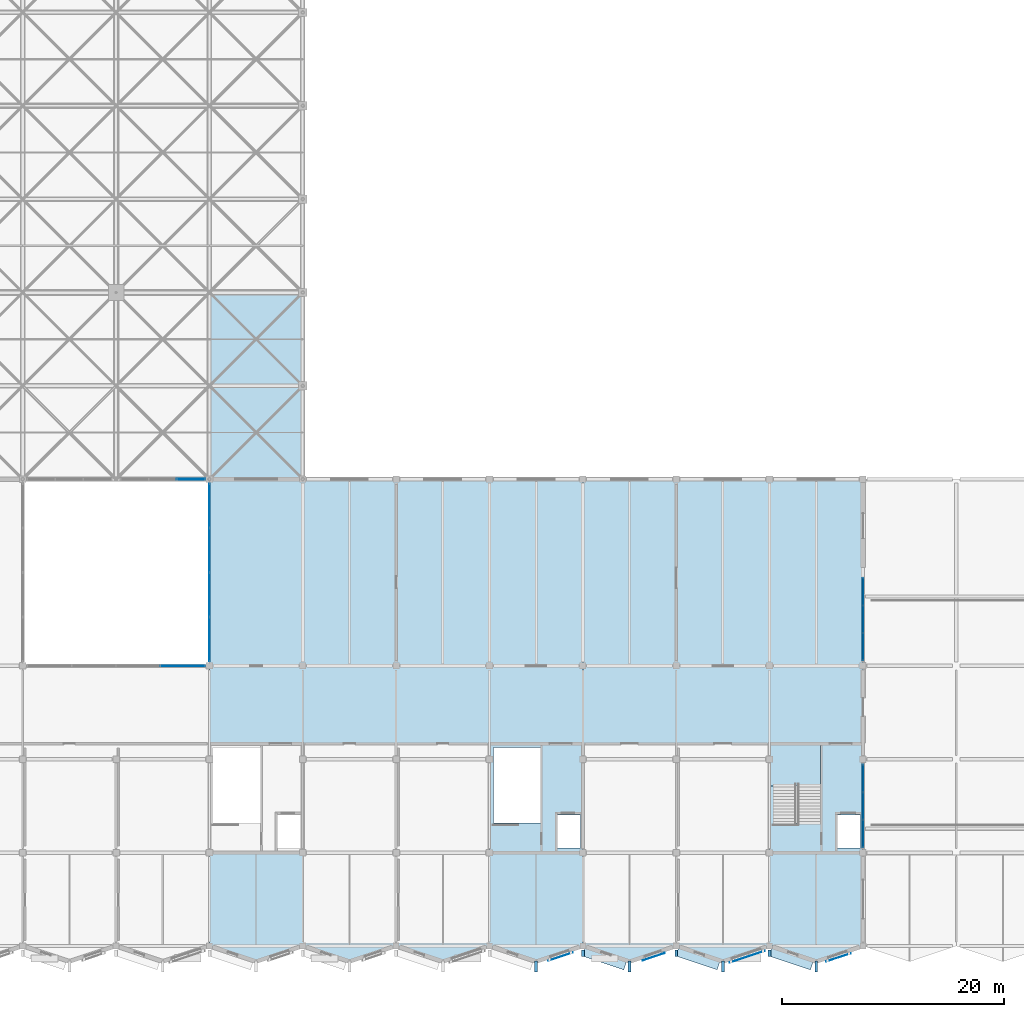
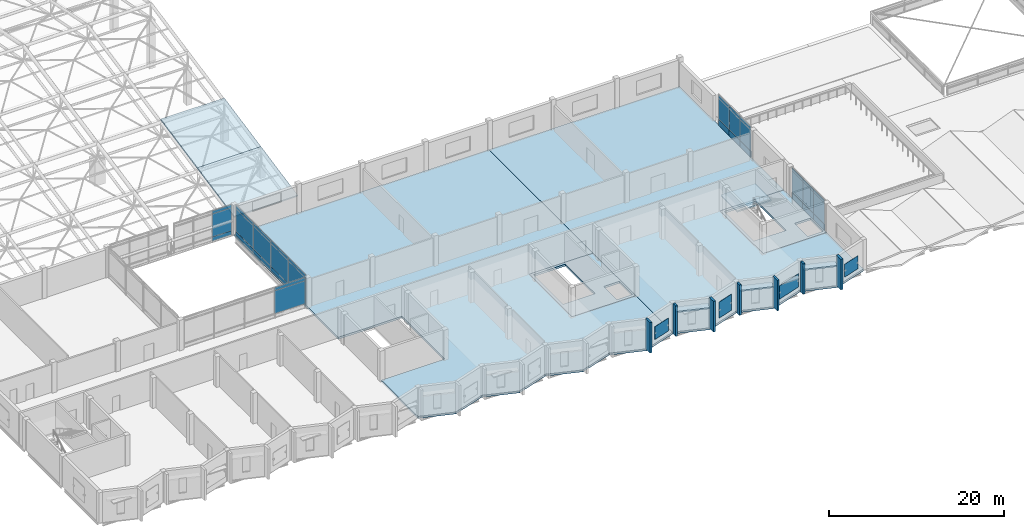
# One storey, part 69 of 81: 49 plates, 7 slabs, 6 elements without a shape of their own.
"""IFC4 building model written with IfcOpenShell, lengths in metres."""

from ifc_helpers import new_model, si_unit, direction, frame, frame_2d, origin, place, context, subcontext, project, spatial, polyline, rectangle, outline, extrude, material, layer, layer_set, type_object, element, aggregate, save


model = new_model("IFC4")

# Units and contexts
model_context = context("Model", 3, precision=1e-05, world=origin(), true_north=direction((0.0, 1.0)))
body_context = subcontext(model_context, "Body", "Model", "MODEL_VIEW")
ifc_project = project(units=[si_unit("LENGTHUNIT", "METRE"), si_unit("AREAUNIT", "SQUARE_METRE"), si_unit("VOLUMEUNIT", "CUBIC_METRE"), si_unit("PLANEANGLEUNIT", "RADIAN"), si_unit("MASSUNIT", "GRAM", prefix="KILO")], contexts=[model_context])

# Site, building, storey
site_placement = place(None, origin())
site = spatial("IfcSite", under=ifc_project, at=site_placement, CompositionType="ELEMENT")
building_placement = place(site_placement, origin())
building = spatial("IfcBuilding", under=site, at=building_placement, Name="Qawsi Khor Wholesale Market", CompositionType="ELEMENT")
storey_placement = place(building_placement, frame((0.0, 0.0, 16.199951171875)))
storey = spatial("IfcBuildingStorey", under=building, at=storey_placement, Name="L03", CompositionType="ELEMENT", Elevation=16.199951171875)

# Curtain wall, plate
ifc_material_1 = material(Name="Aluminium Anodised Bronze", Category="aluminium")
ifc_layer_1 = layer(ifc_material_1, 0.179931640625, Name="Aluminium Anodised Bronze")
ifc_layer_set_1 = layer_set([ifc_layer_1], Name="Aluminium Anodised Bronze")
curtain_wall_type_1 = type_object("IfcCurtainWallType", Name="Atrium Full-Height Curtain Wall CW-02", PredefinedType="NOTDEFINED", material=ifc_layer_set_1)
curtain_wall_1_placement = place(storey_placement, origin())
curtain_wall_1 = element("IfcCurtainWall", 1, at=curtain_wall_1_placement, inside=storey, type_object=curtain_wall_type_1, Name="Curtain wall CW-CW-02-L03-028", PredefinedType="NOTDEFINED")
ifc_material_2 = material(Name="Anodised Aluminium Spandrel", Category="aluminium")
ifc_layer_2 = layer(ifc_material_2, 0.06494140625, Name="Anodised Aluminium Spandrel")
ifc_layer_set_2 = layer_set([ifc_layer_2], Name="Anodised Aluminium Spandrel")
plate_type_1 = type_object("IfcPlateType", Name="Insulated Spandrel Panel CW-02 65mm", PredefinedType="CURTAIN_PANEL", material=ifc_layer_set_2)
plate_1_placement = place(storey_placement, frame((64.276611328125, 42.0, 0.005126953125), z_axis=(0.0, 0.0, 1.0), x_axis=(1.0, 0.0, 0.0)))
plate_1 = element("IfcPlate", 2, at=plate_1_placement, type_object=plate_type_1, Name="Curtain panel CW-CW-02-L03-028-P0_02", PredefinedType="CURTAIN_PANEL", context=body_context, shape_type="SweptSolid", body=[
    extrude(rectangle(XDim=2.5283203125, YDim=0.06494140625, at=frame_2d((1.26416015625, 0.0))), origin(), (0.0, 0.0, 1.0), 0.58984375),
])

# Curtain wall, plates
curtain_wall_2_placement = place(storey_placement, origin())
curtain_wall_2 = element("IfcCurtainWall", 3, at=curtain_wall_2_placement, inside=storey, type_object=curtain_wall_type_1, Name="Curtain wall CW-CW-02-L03-030", PredefinedType="NOTDEFINED")
plate_2_placement = place(storey_placement, frame((67.199951171875, 25.594970703125, 0.005126953125), z_axis=(0.0, 0.0, 1.0), x_axis=(0.0, 1.0, 0.0)))
plate_2 = element("IfcPlate", 4, at=plate_2_placement, type_object=plate_type_1, Name="Curtain panel CW-CW-02-L03-030-P0_00", PredefinedType="CURTAIN_PANEL", context=body_context, shape_type="SweptSolid", body=[
    extrude(rectangle(XDim=4.00244140625, YDim=0.06494140625, at=frame_2d((2.001220703125, 0.0))), origin(), (0.0, 0.0, 1.0), 0.58984375),
])
plate_3_placement = place(storey_placement, frame((67.199951171875, 29.597412109375, 0.005126953125), z_axis=(0.0, 0.0, 1.0), x_axis=(0.0, 1.0, 0.0)))
plate_3 = element("IfcPlate", 5, at=plate_3_placement, type_object=plate_type_1, Name="Curtain panel CW-CW-02-L03-030-P0_01", PredefinedType="CURTAIN_PANEL", context=body_context, shape_type="SweptSolid", body=[
    extrude(rectangle(XDim=4.002685546875, YDim=0.06494140625, at=frame_2d((2.00146484375, 0.0))), origin(), (0.0, 0.0, 1.0), 0.58984375),
])
plate_4_placement = place(storey_placement, frame((67.199951171875, 33.60009765625, 0.005126953125), z_axis=(0.0, 0.0, 1.0), x_axis=(0.0, 1.0, 0.0)))
plate_4 = element("IfcPlate", 6, at=plate_4_placement, type_object=plate_type_1, Name="Curtain panel CW-CW-02-L03-030-P0_02", PredefinedType="CURTAIN_PANEL", context=body_context, shape_type="SweptSolid", body=[
    extrude(rectangle(XDim=4.00244140625, YDim=0.06494140625, at=frame_2d((2.001220703125, 0.0))), origin(), (0.0, 0.0, 1.0), 0.58984375),
])
plate_5_placement = place(storey_placement, frame((67.199951171875, 37.6025390625, 0.005126953125), z_axis=(0.0, 0.0, 1.0), x_axis=(0.0, 1.0, 0.0)))
plate_5 = element("IfcPlate", 7, at=plate_5_placement, type_object=plate_type_1, Name="Curtain panel CW-CW-02-L03-030-P0_03", PredefinedType="CURTAIN_PANEL", context=body_context, shape_type="SweptSolid", body=[
    extrude(rectangle(XDim=4.00244140625, YDim=0.06494140625, at=frame_2d((2.001220703125, 0.0))), origin(), (0.0, 0.0, 1.0), 0.58984375),
])

ifc_layer_3 = layer(ifc_material_1, 0.169921875, Name="Aluminium Anodised Bronze")
ifc_layer_set_3 = layer_set([ifc_layer_3], Name="Aluminium Anodised Bronze")
curtain_wall_type_2 = type_object("IfcCurtainWallType", Name="Central Court Gallery Curtain Wall CW-05", PredefinedType="NOTDEFINED", material=ifc_layer_set_3)
curtain_wall_3_placement = place(storey_placement, origin())
curtain_wall_3 = element("IfcCurtainWall", 8, at=curtain_wall_3_placement, inside=storey, type_object=curtain_wall_type_2, Name="Curtain wall CW-CW-05-L03-070", PredefinedType="NOTDEFINED")
ifc_layer_4 = layer(ifc_material_2, 0.094970703125, Name="Anodised Aluminium Spandrel")
ifc_layer_set_4 = layer_set([ifc_layer_4], Name="Anodised Aluminium Spandrel")
plate_type_2 = type_object("IfcPlateType", Name="Insulated Spandrel Panel CW-05 95mm", PredefinedType="CURTAIN_PANEL", material=ifc_layer_set_4)
plate_6_placement = place(storey_placement, frame((126.0, 8.89990234375, 0.005126953125), z_axis=(0.0, 0.0, 1.0), x_axis=(0.0, 1.0, 0.0)))
plate_6 = element("IfcPlate", 9, at=plate_6_placement, type_object=plate_type_2, Name="Curtain panel CW-CW-05-L03-070-P0_00", PredefinedType="CURTAIN_PANEL", context=body_context, shape_type="SweptSolid", body=[
    extrude(rectangle(XDim=2.466796875, YDim=0.094970703125, at=frame_2d((1.2333984375, 0.0))), origin(), (0.0, 0.0, 1.0), 0.83984375),
])
plate_7_placement = place(storey_placement, frame((126.0, 11.36669921875, 0.005126953125), z_axis=(0.0, 0.0, 1.0), x_axis=(0.0, 1.0, 0.0)))
plate_7 = element("IfcPlate", 10, at=plate_7_placement, type_object=plate_type_2, Name="Curtain panel CW-CW-05-L03-070-P0_01", PredefinedType="CURTAIN_PANEL", context=body_context, shape_type="SweptSolid", body=[
    extrude(rectangle(XDim=2.466552734375, YDim=0.094970703125, at=frame_2d((1.2333984375, 0.0))), origin(), (0.0, 0.0, 1.0), 0.83984375),
])
plate_8_placement = place(storey_placement, frame((126.0, 13.833251953125, 0.005126953125), z_axis=(0.0, 0.0, 1.0), x_axis=(0.0, 1.0, 0.0)))
plate_8 = element("IfcPlate", 11, at=plate_8_placement, type_object=plate_type_2, Name="Curtain panel CW-CW-05-L03-070-P0_02", PredefinedType="CURTAIN_PANEL", context=body_context, shape_type="SweptSolid", body=[
    extrude(rectangle(XDim=2.466796875, YDim=0.094970703125, at=frame_2d((1.2333984375, 0.0))), origin(), (0.0, 0.0, 1.0), 0.83984375),
])

curtain_wall_4_placement = place(storey_placement, origin())
curtain_wall_4 = element("IfcCurtainWall", 12, at=curtain_wall_4_placement, inside=storey, type_object=curtain_wall_type_2, Name="Curtain wall CW-CW-05-L03-071", PredefinedType="NOTDEFINED")
plate_9_placement = place(storey_placement, frame((126.0, 25.699951171875, 0.005126953125), z_axis=(0.0, 0.0, 1.0), x_axis=(0.0, 1.0, 0.0)))
plate_9 = element("IfcPlate", 13, at=plate_9_placement, type_object=plate_type_2, Name="Curtain panel CW-CW-05-L03-071-P0_00", PredefinedType="CURTAIN_PANEL", context=body_context, shape_type="SweptSolid", body=[
    extrude(rectangle(XDim=2.466796875, YDim=0.094970703125, at=frame_2d((1.2333984375, 0.0))), origin(), (0.0, 0.0, 1.0), 0.83984375),
])
plate_10_placement = place(storey_placement, frame((126.0, 28.166748046875, 0.005126953125), z_axis=(0.0, 0.0, 1.0), x_axis=(0.0, 1.0, 0.0)))
plate_10 = element("IfcPlate", 14, at=plate_10_placement, type_object=plate_type_2, Name="Curtain panel CW-CW-05-L03-071-P0_01", PredefinedType="CURTAIN_PANEL", context=body_context, shape_type="SweptSolid", body=[
    extrude(rectangle(XDim=2.466552734375, YDim=0.094970703125, at=frame_2d((1.2333984375, 0.0))), origin(), (0.0, 0.0, 1.0), 0.83984375),
])
plate_11_placement = place(storey_placement, frame((126.0, 30.63330078125, 0.005126953125), z_axis=(0.0, 0.0, 1.0), x_axis=(0.0, 1.0, 0.0)))
plate_11 = element("IfcPlate", 15, at=plate_11_placement, type_object=plate_type_2, Name="Curtain panel CW-CW-05-L03-071-P0_02", PredefinedType="CURTAIN_PANEL", context=body_context, shape_type="SweptSolid", body=[
    extrude(rectangle(XDim=2.466796875, YDim=0.094970703125, at=frame_2d((1.2333984375, 0.0))), origin(), (0.0, 0.0, 1.0), 0.83984375),
])

# Plates
ifc_material_3 = material(Name="Perforated Bronze-Anodised Aluminium", Category="aluminium")
ifc_layer_5 = layer(ifc_material_3, 0.028076171875, Name="Perforated Bronze-Anodised Aluminium")
ifc_layer_set_5 = layer_set([ifc_layer_5], Name="Perforated Bronze-Anodised Aluminium")
plate_type_3 = type_object("IfcPlateType", Name="Perforated Bronze Mashrabiya Screen 28mm", PredefinedType="SHEET", material=ifc_layer_set_5)
plate_12_placement = place(storey_placement, frame((99.89111328125, -0.603271484375, 0.85009765625), z_axis=(0.0, 0.0, 1.0), x_axis=(-0.948683298051, -0.316227766017, 0.0)))
element("IfcPlate", 16, at=plate_12_placement, inside=storey, type_object=plate_type_3, Name="Solar mashrabiya screen 049", PredefinedType="SHEET", context=body_context, shape_type="SweptSolid", body=[
    extrude(rectangle(XDim=2.320068359375, YDim=0.028076171875, at=frame_2d((1.16015625, 0.0))), origin(), (0.0, 0.0, 1.0), 1.800048828125),
])
plate_13_placement = place(storey_placement, frame((108.186767578125, -0.63818359375, 0.85009765625), z_axis=(0.0, 0.0, 1.0), x_axis=(-0.948683298051, -0.316227766017, 0.0)))
element("IfcPlate", 17, at=plate_13_placement, inside=storey, type_object=plate_type_3, Name="Solar mashrabiya screen 050", PredefinedType="SHEET", context=body_context, shape_type="SweptSolid", body=[
    extrude(rectangle(XDim=2.099853515625, YDim=0.028076171875, at=frame_2d((1.0498046875, 0.0))), origin(), (0.0, 0.0, 1.0), 2.25),
])
plate_14_placement = place(storey_placement, frame((117.156005859375, -0.448486328125, 0.85009765625), z_axis=(0.0, 0.0, 1.0), x_axis=(-0.948690696143, -0.316205570874, 0.0)))
element("IfcPlate", 18, at=plate_14_placement, inside=storey, type_object=plate_type_3, Name="Solar mashrabiya screen 051", PredefinedType="SHEET", context=body_context, shape_type="SweptSolid", body=[
    extrude(rectangle(XDim=3.300048828125, YDim=0.028076171875, at=frame_2d((1.64990234375, 0.0))), origin(), (0.0, 0.0, 1.0), 1.849853515625),
])
plate_15_placement = place(storey_placement, frame((124.89111328125, -0.677978515625, 0.85009765625), z_axis=(0.0, 0.0, 1.0), x_axis=(-0.94942773436, -0.313985632199, 0.0)))
element("IfcPlate", 19, at=plate_15_placement, inside=storey, type_object=plate_type_3, Name="Solar mashrabiya screen 052", PredefinedType="SHEET", context=body_context, shape_type="SweptSolid", body=[
    extrude(rectangle(XDim=2.3203125, YDim=0.028076171875, at=frame_2d((1.16015625, 0.0))), origin(), (0.0, 0.0, 1.0), 1.800048828125),
])
ifc_material_4 = material(Name="Concrete C40/50", Category="concrete")
ifc_layer_6 = layer(ifc_material_4, 0.260009765625, Name="Concrete C40/50")
ifc_layer_set_6 = layer_set([ifc_layer_6], Name="Concrete C40/50")
plate_type_4 = type_object("IfcPlateType", Name="Sculpted Concrete Solar Buttress Fin 260", PredefinedType="SHEET", material=ifc_layer_set_6)
plate_16_placement = place(storey_placement, frame((96.60009765625, -2.35009765625, 0.0), z_axis=(0.0, 0.0, 1.0), x_axis=(0.0, 1.0, 0.0)))
element("IfcPlate", 20, at=plate_16_placement, inside=storey, type_object=plate_type_4, Name="Boulevard concrete solar buttress fin L03-17", PredefinedType="SHEET", context=body_context, shape_type="SweptSolid", body=[
    extrude(rectangle(XDim=1.0, YDim=0.260009765625, at=frame_2d((0.5, 0.0))), origin(), (0.0, 0.0, 1.0), 4.260009765625),
])
plate_17_placement = place(storey_placement, frame((100.800048828125, -0.949951171875, 0.0), z_axis=(0.0, 0.0, 1.0), x_axis=(0.0, 1.0, 0.0)))
element("IfcPlate", 21, at=plate_17_placement, inside=storey, type_object=plate_type_4, Name="Boulevard concrete solar buttress fin L03-18", PredefinedType="SHEET", context=body_context, shape_type="SweptSolid", body=[
    extrude(rectangle(XDim=0.570068359375, YDim=0.260009765625, at=frame_2d((0.28515625, 0.0))), origin(), (0.0, 0.0, 1.0), 4.260009765625),
])
plate_18_placement = place(storey_placement, frame((105.0, -2.35009765625, 0.0), z_axis=(0.0, 0.0, 1.0), x_axis=(0.0, 1.0, 0.0)))
element("IfcPlate", 22, at=plate_18_placement, inside=storey, type_object=plate_type_4, Name="Boulevard concrete solar buttress fin L03-19", PredefinedType="SHEET", context=body_context, shape_type="SweptSolid", body=[
    extrude(rectangle(XDim=1.0, YDim=0.260009765625, at=frame_2d((0.5, 0.0))), origin(), (0.0, 0.0, 1.0), 4.260009765625),
])
plate_19_placement = place(storey_placement, frame((109.199951171875, -0.949951171875, 0.0), z_axis=(0.0, 0.0, 1.0), x_axis=(0.0, 1.0, 0.0)))
element("IfcPlate", 23, at=plate_19_placement, inside=storey, type_object=plate_type_4, Name="Boulevard concrete solar buttress fin L03-20", PredefinedType="SHEET", context=body_context, shape_type="SweptSolid", body=[
    extrude(rectangle(XDim=0.570068359375, YDim=0.260009765625, at=frame_2d((0.28515625, 0.0))), origin(), (0.0, 0.0, 1.0), 4.260009765625),
])
plate_20_placement = place(storey_placement, frame((113.39990234375, -2.35009765625, 0.0), z_axis=(0.0, 0.0, 1.0), x_axis=(0.0, 1.0, 0.0)))
element("IfcPlate", 24, at=plate_20_placement, inside=storey, type_object=plate_type_4, Name="Boulevard concrete solar buttress fin L03-21", PredefinedType="SHEET", context=body_context, shape_type="SweptSolid", body=[
    extrude(rectangle(XDim=1.0, YDim=0.260009765625, at=frame_2d((0.5, 0.0))), origin(), (0.0, 0.0, 1.0), 4.260009765625),
])
plate_21_placement = place(storey_placement, frame((117.60009765625, -0.949951171875, 0.0), z_axis=(0.0, 0.0, 1.0), x_axis=(0.0, 1.0, 0.0)))
element("IfcPlate", 25, at=plate_21_placement, inside=storey, type_object=plate_type_4, Name="Boulevard concrete solar buttress fin L03-22", PredefinedType="SHEET", context=body_context, shape_type="SweptSolid", body=[
    extrude(rectangle(XDim=0.570068359375, YDim=0.260009765625, at=frame_2d((0.28515625, 0.0))), origin(), (0.0, 0.0, 1.0), 4.260009765625),
])
plate_22_placement = place(storey_placement, frame((121.800048828125, -2.35009765625, 0.0), z_axis=(0.0, 0.0, 1.0), x_axis=(0.0, 1.0, 0.0)))
element("IfcPlate", 26, at=plate_22_placement, inside=storey, type_object=plate_type_4, Name="Boulevard concrete solar buttress fin L03-23", PredefinedType="SHEET", context=body_context, shape_type="SweptSolid", body=[
    extrude(rectangle(XDim=1.0, YDim=0.260009765625, at=frame_2d((0.5, 0.0))), origin(), (0.0, 0.0, 1.0), 4.260009765625),
])
ifc_layer_7 = layer(ifc_material_4, 0.949951171875, Name="Concrete C40/50")
ifc_layer_set_7 = layer_set([ifc_layer_7], Name="Concrete C40/50")
plate_type_5 = type_object("IfcPlateType", Name="Sculpted Concrete Sun-Hood Canopy 950", PredefinedType="SHEET", material=ifc_layer_set_7)
for number, where, z_axis, x_axis, name in (
    (27, (100.91064453125, -0.45849609375, 3.25), (0.0, 0.0, 1.0), (0.94867708111, -0.316246416226, 0.0), "Sculpted concrete sun-hood L03-19"),
    (28, (109.310791015625, -0.45849609375, 3.25), (0.0, 0.0, 1.0), (0.94867708111, -0.316246416226, 0.0), "Sculpted concrete sun-hood L03-21"),
    (29, (117.710693359375, -0.45849609375, 3.25), (0.0, 0.0, 1.0), (0.94867708111, -0.316246416226, 0.0), "Sculpted concrete sun-hood L03-23"),
):
    element("IfcPlate", number, at=place(storey_placement, frame(where, z_axis=z_axis, x_axis=x_axis)), inside=storey, type_object=plate_type_5, Name=name, PredefinedType="SHEET", context=body_context, shape_type="SweptSolid", body=[
        extrude(rectangle(XDim=3.92724609375, YDim=0.949951171875, at=frame_2d((1.963623046875, 0.0))), origin(), (0.0, 0.0, 1.0), 0.18994140625),
    ])

# Slabs
ifc_layer_8 = layer(ifc_material_4, 0.2099609375, Name="Concrete C40/50")
ifc_layer_set_8 = layer_set([ifc_layer_8], Name="Concrete C40/50")
slab_type_1 = type_object("IfcSlabType", Name="Sloped Insulated Roof Deck 210", PredefinedType="ROOF", material=ifc_layer_set_8)
slab_1_placement = place(storey_placement, frame((67.199951171875, 42.0, 2.449951171875), z_axis=(0.0, -0.198383615716, 0.9801244518), x_axis=(1.0, 0.0, 0.0)))
element("IfcSlab", 30, at=slab_1_placement, inside=storey, type_object=slab_type_1, Name="Space frame roof deck WH (8,5)", PredefinedType="ROOF", context=body_context, shape_type="SweptSolid", body=[
    extrude(outline(polyline([(0.0, 0.0), (8.400146484375, 0.0), (8.400146484375, 8.570240573355203), (0.0, 8.570240573355203), (0.0, 0.0)])), origin(), (0.0, 0.0, -1.0), 0.2099609375),
])
slab_2_placement = place(storey_placement, frame((67.199951171875, 50.39990234375, 4.150146484375), z_axis=(0.0, -0.198350711418, 0.98013111127), x_axis=(1.0, 0.0, 0.0)))
element("IfcSlab", 31, at=slab_2_placement, inside=storey, type_object=slab_type_1, Name="Space frame roof deck WH (8,6)", PredefinedType="ROOF", context=body_context, shape_type="SweptSolid", body=[
    extrude(outline(polyline([(0.0, 0.0), (8.400146484375, 0.0), (8.400146484375, 8.570431432881128), (0.0, 8.570431432881128), (0.0, 0.0)])), origin(), (0.0, 0.0, -1.0), 0.2099609375),
])

# Curtain wall, plates
curtain_wall_5_placement = place(storey_placement, origin())
curtain_wall_5 = element("IfcCurtainWall", 32, at=curtain_wall_5_placement, inside=storey, type_object=curtain_wall_type_1, Name="Curtain wall CW-CW-02-L03-026", PredefinedType="NOTDEFINED")
ifc_material_5 = material(Name="Tempered Low-E Solar Glass", Category="glass")
ifc_layer_9 = layer(ifc_material_5, 0.031982421875, Name="Tempered Low-E Solar Glass")
ifc_layer_set_9 = layer_set([ifc_layer_9], Name="Tempered Low-E Solar Glass")
plate_type_6 = type_object("IfcPlateType", Name="Solar Double-Glazed Unit CW-02 32mm", PredefinedType="CURTAIN_PANEL", material=ifc_layer_set_9)
plate_23_placement = place(storey_placement, frame((62.802490234375, 25.199951171875, 0.60498046875), z_axis=(0.0, 0.0, 1.0), x_axis=(1.0, 0.0, 0.0)))
plate_23 = element("IfcPlate", 33, at=plate_23_placement, type_object=plate_type_6, Name="Curtain panel CW-CW-02-L03-026-P1_03", PredefinedType="CURTAIN_PANEL", context=body_context, shape_type="SweptSolid", body=[
    extrude(rectangle(XDim=4.00244140625, YDim=0.031982421875, at=frame_2d((2.001220703125, 0.0))), origin(), (0.0, 0.0, 1.0), 3.199951171875),
])
plate_24_placement = place(storey_placement, frame((62.802490234375, 25.199951171875, 3.81494140625), z_axis=(0.0, 0.0, 1.0), x_axis=(1.0, 0.0, 0.0)))
plate_24 = element("IfcPlate", 34, at=plate_24_placement, type_object=plate_type_6, Name="Curtain panel CW-CW-02-L03-026-P2_03", PredefinedType="CURTAIN_PANEL", context=body_context, shape_type="SweptSolid", body=[
    extrude(rectangle(XDim=4.00244140625, YDim=0.031982421875, at=frame_2d((2.001220703125, 0.0))), origin(), (0.0, 0.0, 1.0), 0.440185546875),
])
aggregate(curtain_wall_5, [plate_23, plate_24])

# Plate
plate_25_placement = place(storey_placement, frame((64.276611328125, 42.0, 0.60498046875), z_axis=(0.0, 0.0, 1.0), x_axis=(1.0, 0.0, 0.0)))
plate_25 = element("IfcPlate", 35, at=plate_25_placement, type_object=plate_type_6, Name="Curtain panel CW-CW-02-L03-028-P1_02", PredefinedType="CURTAIN_PANEL", context=body_context, shape_type="SweptSolid", body=[
    extrude(rectangle(XDim=2.5283203125, YDim=0.031982421875, at=frame_2d((1.26416015625, 0.0))), origin(), (0.0, 0.0, 1.0), 3.199951171875),
])

plate_26_placement = place(storey_placement, frame((64.276611328125, 42.0, 3.81494140625), z_axis=(0.0, 0.0, 1.0), x_axis=(1.0, 0.0, 0.0)))
plate_26 = element("IfcPlate", 36, at=plate_26_placement, type_object=plate_type_6, Name="Curtain panel CW-CW-02-L03-028-P2_02", PredefinedType="CURTAIN_PANEL", context=body_context, shape_type="SweptSolid", body=[
    extrude(rectangle(XDim=2.5283203125, YDim=0.031982421875, at=frame_2d((1.26416015625, 0.0))), origin(), (0.0, 0.0, 1.0), 0.440185546875),
])

aggregate(curtain_wall_1, [plate_1, plate_25, plate_26])

plate_27_placement = place(storey_placement, frame((67.199951171875, 25.594970703125, 0.60498046875), z_axis=(0.0, 0.0, 1.0), x_axis=(0.0, 1.0, 0.0)))
plate_27 = element("IfcPlate", 37, at=plate_27_placement, type_object=plate_type_6, Name="Curtain panel CW-CW-02-L03-030-P1_00", PredefinedType="CURTAIN_PANEL", context=body_context, shape_type="SweptSolid", body=[
    extrude(rectangle(XDim=4.00244140625, YDim=0.031982421875, at=frame_2d((2.001220703125, 0.0))), origin(), (0.0, 0.0, 1.0), 3.199951171875),
])

plate_28_placement = place(storey_placement, frame((67.199951171875, 29.597412109375, 0.60498046875), z_axis=(0.0, 0.0, 1.0), x_axis=(0.0, 1.0, 0.0)))
plate_28 = element("IfcPlate", 38, at=plate_28_placement, type_object=plate_type_6, Name="Curtain panel CW-CW-02-L03-030-P1_01", PredefinedType="CURTAIN_PANEL", context=body_context, shape_type="SweptSolid", body=[
    extrude(rectangle(XDim=4.002685546875, YDim=0.031982421875, at=frame_2d((2.00146484375, 0.0))), origin(), (0.0, 0.0, 1.0), 3.199951171875),
])

plate_29_placement = place(storey_placement, frame((67.199951171875, 33.60009765625, 0.60498046875), z_axis=(0.0, 0.0, 1.0), x_axis=(0.0, 1.0, 0.0)))
plate_29 = element("IfcPlate", 39, at=plate_29_placement, type_object=plate_type_6, Name="Curtain panel CW-CW-02-L03-030-P1_02", PredefinedType="CURTAIN_PANEL", context=body_context, shape_type="SweptSolid", body=[
    extrude(rectangle(XDim=4.00244140625, YDim=0.031982421875, at=frame_2d((2.001220703125, 0.0))), origin(), (0.0, 0.0, 1.0), 3.199951171875),
])

plate_30_placement = place(storey_placement, frame((67.199951171875, 37.6025390625, 0.60498046875), z_axis=(0.0, 0.0, 1.0), x_axis=(0.0, 1.0, 0.0)))
plate_30 = element("IfcPlate", 40, at=plate_30_placement, type_object=plate_type_6, Name="Curtain panel CW-CW-02-L03-030-P1_03", PredefinedType="CURTAIN_PANEL", context=body_context, shape_type="SweptSolid", body=[
    extrude(rectangle(XDim=4.00244140625, YDim=0.031982421875, at=frame_2d((2.001220703125, 0.0))), origin(), (0.0, 0.0, 1.0), 3.199951171875),
])

plate_31_placement = place(storey_placement, frame((67.199951171875, 25.594970703125, 3.81494140625), z_axis=(0.0, 0.0, 1.0), x_axis=(0.0, 1.0, 0.0)))
plate_31 = element("IfcPlate", 41, at=plate_31_placement, type_object=plate_type_6, Name="Curtain panel CW-CW-02-L03-030-P2_00", PredefinedType="CURTAIN_PANEL", context=body_context, shape_type="SweptSolid", body=[
    extrude(rectangle(XDim=4.00244140625, YDim=0.031982421875, at=frame_2d((2.001220703125, 0.0))), origin(), (0.0, 0.0, 1.0), 0.440185546875),
])

plate_32_placement = place(storey_placement, frame((67.199951171875, 29.597412109375, 3.81494140625), z_axis=(0.0, 0.0, 1.0), x_axis=(0.0, 1.0, 0.0)))
plate_32 = element("IfcPlate", 42, at=plate_32_placement, type_object=plate_type_6, Name="Curtain panel CW-CW-02-L03-030-P2_01", PredefinedType="CURTAIN_PANEL", context=body_context, shape_type="SweptSolid", body=[
    extrude(rectangle(XDim=4.002685546875, YDim=0.031982421875, at=frame_2d((2.00146484375, 0.0))), origin(), (0.0, 0.0, 1.0), 0.440185546875),
])

plate_33_placement = place(storey_placement, frame((67.199951171875, 33.60009765625, 3.81494140625), z_axis=(0.0, 0.0, 1.0), x_axis=(0.0, 1.0, 0.0)))
plate_33 = element("IfcPlate", 43, at=plate_33_placement, type_object=plate_type_6, Name="Curtain panel CW-CW-02-L03-030-P2_02", PredefinedType="CURTAIN_PANEL", context=body_context, shape_type="SweptSolid", body=[
    extrude(rectangle(XDim=4.00244140625, YDim=0.031982421875, at=frame_2d((2.001220703125, 0.0))), origin(), (0.0, 0.0, 1.0), 0.440185546875),
])

plate_34_placement = place(storey_placement, frame((67.199951171875, 37.6025390625, 3.81494140625), z_axis=(0.0, 0.0, 1.0), x_axis=(0.0, 1.0, 0.0)))
plate_34 = element("IfcPlate", 44, at=plate_34_placement, type_object=plate_type_6, Name="Curtain panel CW-CW-02-L03-030-P2_03", PredefinedType="CURTAIN_PANEL", context=body_context, shape_type="SweptSolid", body=[
    extrude(rectangle(XDim=4.00244140625, YDim=0.031982421875, at=frame_2d((2.001220703125, 0.0))), origin(), (0.0, 0.0, 1.0), 0.440185546875),
])

aggregate(curtain_wall_2, [plate_2, plate_3, plate_4, plate_5, plate_27, plate_28, plate_29, plate_30, plate_31, plate_32, plate_33, plate_34])

ifc_layer_10 = layer(ifc_material_5, 0.035888671875, Name="Tempered Low-E Solar Glass")
ifc_layer_set_10 = layer_set([ifc_layer_10], Name="Tempered Low-E Solar Glass")
plate_type_7 = type_object("IfcPlateType", Name="Solar Double-Glazed Unit CW-05 36mm", PredefinedType="CURTAIN_PANEL", material=ifc_layer_set_10)
plate_35_placement = place(storey_placement, frame((126.0, 8.89990234375, 0.85498046875), z_axis=(0.0, 0.0, 1.0), x_axis=(0.0, 1.0, 0.0)))
plate_35 = element("IfcPlate", 45, at=plate_35_placement, type_object=plate_type_7, Name="Curtain panel CW-CW-05-L03-070-P1_00", PredefinedType="CURTAIN_PANEL", context=body_context, shape_type="SweptSolid", body=[
    extrude(rectangle(XDim=2.466796875, YDim=0.035888671875, at=frame_2d((1.2333984375, 0.0))), origin(), (0.0, 0.0, 1.0), 2.949951171875),
])

plate_36_placement = place(storey_placement, frame((126.0, 11.36669921875, 0.85498046875), z_axis=(0.0, 0.0, 1.0), x_axis=(0.0, 1.0, 0.0)))
plate_36 = element("IfcPlate", 46, at=plate_36_placement, type_object=plate_type_7, Name="Curtain panel CW-CW-05-L03-070-P1_01", PredefinedType="CURTAIN_PANEL", context=body_context, shape_type="SweptSolid", body=[
    extrude(rectangle(XDim=2.466552734375, YDim=0.035888671875, at=frame_2d((1.2333984375, 0.0))), origin(), (0.0, 0.0, 1.0), 2.949951171875),
])

plate_37_placement = place(storey_placement, frame((126.0, 13.833251953125, 0.85498046875), z_axis=(0.0, 0.0, 1.0), x_axis=(0.0, 1.0, 0.0)))
plate_37 = element("IfcPlate", 47, at=plate_37_placement, type_object=plate_type_7, Name="Curtain panel CW-CW-05-L03-070-P1_02", PredefinedType="CURTAIN_PANEL", context=body_context, shape_type="SweptSolid", body=[
    extrude(rectangle(XDim=2.466796875, YDim=0.035888671875, at=frame_2d((1.2333984375, 0.0))), origin(), (0.0, 0.0, 1.0), 2.949951171875),
])

plate_38_placement = place(storey_placement, frame((126.0, 8.89990234375, 3.81494140625), z_axis=(0.0, 0.0, 1.0), x_axis=(0.0, 1.0, 0.0)))
plate_38 = element("IfcPlate", 48, at=plate_38_placement, type_object=plate_type_7, Name="Curtain panel CW-CW-05-L03-070-P2_00", PredefinedType="CURTAIN_PANEL", context=body_context, shape_type="SweptSolid", body=[
    extrude(rectangle(XDim=2.466796875, YDim=0.035888671875, at=frame_2d((1.2333984375, 0.0))), origin(), (0.0, 0.0, 1.0), 0.440185546875),
])

plate_39_placement = place(storey_placement, frame((126.0, 11.36669921875, 3.81494140625), z_axis=(0.0, 0.0, 1.0), x_axis=(0.0, 1.0, 0.0)))
plate_39 = element("IfcPlate", 49, at=plate_39_placement, type_object=plate_type_7, Name="Curtain panel CW-CW-05-L03-070-P2_01", PredefinedType="CURTAIN_PANEL", context=body_context, shape_type="SweptSolid", body=[
    extrude(rectangle(XDim=2.466552734375, YDim=0.035888671875, at=frame_2d((1.2333984375, 0.0))), origin(), (0.0, 0.0, 1.0), 0.440185546875),
])

plate_40_placement = place(storey_placement, frame((126.0, 13.833251953125, 3.81494140625), z_axis=(0.0, 0.0, 1.0), x_axis=(0.0, 1.0, 0.0)))
plate_40 = element("IfcPlate", 50, at=plate_40_placement, type_object=plate_type_7, Name="Curtain panel CW-CW-05-L03-070-P2_02", PredefinedType="CURTAIN_PANEL", context=body_context, shape_type="SweptSolid", body=[
    extrude(rectangle(XDim=2.466796875, YDim=0.035888671875, at=frame_2d((1.2333984375, 0.0))), origin(), (0.0, 0.0, 1.0), 0.440185546875),
])

aggregate(curtain_wall_3, [plate_6, plate_7, plate_8, plate_35, plate_36, plate_37, plate_38, plate_39, plate_40])

plate_41_placement = place(storey_placement, frame((126.0, 25.699951171875, 0.85498046875), z_axis=(0.0, 0.0, 1.0), x_axis=(0.0, 1.0, 0.0)))
plate_41 = element("IfcPlate", 51, at=plate_41_placement, type_object=plate_type_7, Name="Curtain panel CW-CW-05-L03-071-P1_00", PredefinedType="CURTAIN_PANEL", context=body_context, shape_type="SweptSolid", body=[
    extrude(rectangle(XDim=2.466796875, YDim=0.035888671875, at=frame_2d((1.2333984375, 0.0))), origin(), (0.0, 0.0, 1.0), 2.949951171875),
])

plate_42_placement = place(storey_placement, frame((126.0, 28.166748046875, 0.85498046875), z_axis=(0.0, 0.0, 1.0), x_axis=(0.0, 1.0, 0.0)))
plate_42 = element("IfcPlate", 52, at=plate_42_placement, type_object=plate_type_7, Name="Curtain panel CW-CW-05-L03-071-P1_01", PredefinedType="CURTAIN_PANEL", context=body_context, shape_type="SweptSolid", body=[
    extrude(rectangle(XDim=2.466552734375, YDim=0.035888671875, at=frame_2d((1.2333984375, 0.0))), origin(), (0.0, 0.0, 1.0), 2.949951171875),
])

plate_43_placement = place(storey_placement, frame((126.0, 30.63330078125, 0.85498046875), z_axis=(0.0, 0.0, 1.0), x_axis=(0.0, 1.0, 0.0)))
plate_43 = element("IfcPlate", 53, at=plate_43_placement, type_object=plate_type_7, Name="Curtain panel CW-CW-05-L03-071-P1_02", PredefinedType="CURTAIN_PANEL", context=body_context, shape_type="SweptSolid", body=[
    extrude(rectangle(XDim=2.466796875, YDim=0.035888671875, at=frame_2d((1.2333984375, 0.0))), origin(), (0.0, 0.0, 1.0), 2.949951171875),
])

plate_44_placement = place(storey_placement, frame((126.0, 25.699951171875, 3.81494140625), z_axis=(0.0, 0.0, 1.0), x_axis=(0.0, 1.0, 0.0)))
plate_44 = element("IfcPlate", 54, at=plate_44_placement, type_object=plate_type_7, Name="Curtain panel CW-CW-05-L03-071-P2_00", PredefinedType="CURTAIN_PANEL", context=body_context, shape_type="SweptSolid", body=[
    extrude(rectangle(XDim=2.466796875, YDim=0.035888671875, at=frame_2d((1.2333984375, 0.0))), origin(), (0.0, 0.0, 1.0), 0.440185546875),
])

plate_45_placement = place(storey_placement, frame((126.0, 28.166748046875, 3.81494140625), z_axis=(0.0, 0.0, 1.0), x_axis=(0.0, 1.0, 0.0)))
plate_45 = element("IfcPlate", 55, at=plate_45_placement, type_object=plate_type_7, Name="Curtain panel CW-CW-05-L03-071-P2_01", PredefinedType="CURTAIN_PANEL", context=body_context, shape_type="SweptSolid", body=[
    extrude(rectangle(XDim=2.466552734375, YDim=0.035888671875, at=frame_2d((1.2333984375, 0.0))), origin(), (0.0, 0.0, 1.0), 0.440185546875),
])

plate_46_placement = place(storey_placement, frame((126.0, 30.63330078125, 3.81494140625), z_axis=(0.0, 0.0, 1.0), x_axis=(0.0, 1.0, 0.0)))
plate_46 = element("IfcPlate", 56, at=plate_46_placement, type_object=plate_type_7, Name="Curtain panel CW-CW-05-L03-071-P2_02", PredefinedType="CURTAIN_PANEL", context=body_context, shape_type="SweptSolid", body=[
    extrude(rectangle(XDim=2.466796875, YDim=0.035888671875, at=frame_2d((1.2333984375, 0.0))), origin(), (0.0, 0.0, 1.0), 0.440185546875),
])

aggregate(curtain_wall_4, [plate_9, plate_10, plate_11, plate_41, plate_42, plate_43, plate_44, plate_45, plate_46])

# Stair, slab
stair_type = type_object("IfcStairType", Name="Exit Stair L03-RF 4500 Rise", PredefinedType="HALF_TURN_STAIR", material=ifc_material_4)
stair_placement = place(storey_placement, origin())
stair = element("IfcStair", 57, at=stair_placement, inside=storey, type_object=stair_type, Name="Stair ST-04 L03", PredefinedType="HALF_TURN_STAIR")
ifc_layer_11 = layer(ifc_material_4, 0.179931640625, Name="Concrete C40/50")
ifc_layer_set_11 = layer_set([ifc_layer_11], Name="Concrete C40/50")
slab_type_2 = type_object("IfcSlabType", Name="Stair Half-Landing Slab 180 C40/50", PredefinedType="LANDING", material=ifc_layer_set_11)
slab_3_placement = place(storey_placement, frame((0.0, 0.0, 2.070068359375)))
slab_3 = element("IfcSlab", 58, at=slab_3_placement, type_object=slab_type_2, Name="ST-04-L03 landing 1", PredefinedType="LANDING", context=body_context, shape_type="SweptSolid", body=[
    extrude(outline(polyline([(117.64990234375, 14.39990234375), (122.179931640625, 14.39990234375), (122.179931640625, 18.14990234375), (117.64990234375, 18.14990234375), (117.64990234375, 14.39990234375)])), origin(), (0.0, 0.0, 1.0), 0.179931640625),
])
aggregate(stair, [slab_3])

# Slabs
ifc_layer_12 = layer(ifc_material_4, 0.280029296875, Name="Concrete C40/50")
ifc_layer_set_12 = layer_set([ifc_layer_12], Name="Concrete C40/50")
slab_type_3 = type_object("IfcSlabType", Name="Suspended Floor Slab 280 C40/50", PredefinedType="FLOOR", material=ifc_layer_set_12)
slab_4_placement = place(storey_placement, frame((0.0, 0.0, -0.280029296875)))
element("IfcSlab", 59, at=slab_4_placement, inside=storey, type_object=slab_type_3, Name="Core floor slab L03 C03", PredefinedType="FLOOR", context=body_context, shape_type="SweptSolid", body=[
    extrude(outline(polyline([(92.39990234375, 18.199951171875), (100.800048828125, 18.199951171875), (100.800048828125, 8.39990234375), (92.39990234375, 8.39990234375), (92.39990234375, 18.199951171875)]), holes=[polyline([(98.52001953125, 8.800048828125), (100.60009765625, 8.800048828125), (100.60009765625, 11.800048828125), (98.52001953125, 11.800048828125), (98.52001953125, 8.800048828125)]), polyline([(92.739990234375, 11.080078125), (96.97998046875, 11.080078125), (96.97998046875, 17.860107421875), (92.739990234375, 17.860107421875), (92.739990234375, 11.080078125)])]), origin(), (0.0, 0.0, 1.0), 0.280029296875),
])
slab_5_placement = place(storey_placement, frame((0.0, 0.0, -0.280029296875)))
element("IfcSlab", 60, at=slab_5_placement, inside=storey, type_object=slab_type_3, Name="Core floor slab L03 C04", PredefinedType="FLOOR", context=body_context, shape_type="SweptSolid", body=[
    extrude(outline(polyline([(117.60009765625, 18.199951171875), (126.0, 18.199951171875), (126.0, 8.39990234375), (117.60009765625, 8.39990234375), (117.60009765625, 18.199951171875)]), holes=[polyline([(123.719970703125, 8.800048828125), (125.800048828125, 8.800048828125), (125.800048828125, 11.800048828125), (123.719970703125, 11.800048828125), (123.719970703125, 8.800048828125)]), polyline([(117.93994140625, 11.080078125), (122.179931640625, 11.080078125), (122.179931640625, 17.860107421875), (117.93994140625, 17.860107421875), (117.93994140625, 11.080078125)])]), origin(), (0.0, 0.0, 1.0), 0.280029296875),
])
slab_6_placement = place(storey_placement, frame((0.0, 0.0, -0.280029296875)))
element("IfcSlab", 61, at=slab_6_placement, inside=storey, type_object=slab_type_3, Name="SLB-L03-SWING-2", PredefinedType="FLOOR", context=body_context, shape_type="SweptSolid", body=[
    extrude(outline(polyline([(67.199951171875, 8.39990234375), (75.60009765625, 8.39990234375), (75.60009765625, 18.199951171875), (67.199951171875, 18.199951171875), (67.199951171875, 42.0), (100.800048828125, 42.0), (100.800048828125, 18.199951171875), (92.39990234375, 18.199951171875), (92.39990234375, 8.39990234375), (100.800048828125, 8.39990234375), (100.800048828125, 0.0), (96.60009765625, -1.39990234375), (92.39990234375, 0.0), (88.199951171875, -1.39990234375), (84.0, 0.0), (79.800048828125, -1.39990234375), (75.60009765625, 0.0), (71.39990234375, -1.39990234375), (67.199951171875, 0.0), (67.199951171875, 8.39990234375)])), origin(), (0.0, 0.0, 1.0), 0.280029296875),
])
slab_7_placement = place(storey_placement, frame((0.0, 0.0, -0.280029296875)))
element("IfcSlab", 62, at=slab_7_placement, inside=storey, type_object=slab_type_3, Name="SLB-L03-SWING-3", PredefinedType="FLOOR", context=body_context, shape_type="SweptSolid", body=[
    extrude(outline(polyline([(100.800048828125, 8.39990234375), (100.800048828125, 18.199951171875), (100.800048828125, 42.0), (126.0, 42.0), (126.0, 18.199951171875), (117.60009765625, 18.199951171875), (117.60009765625, 8.39990234375), (126.0, 8.39990234375), (126.0, 0.0), (121.800048828125, -1.39990234375), (117.60009765625, 0.0), (113.39990234375, -1.39990234375), (109.199951171875, 0.0), (105.0, -1.39990234375), (100.800048828125, 0.0), (100.800048828125, 8.39990234375)])), origin(), (0.0, 0.0, 1.0), 0.280029296875),
])

save(model, "model.ifc")
